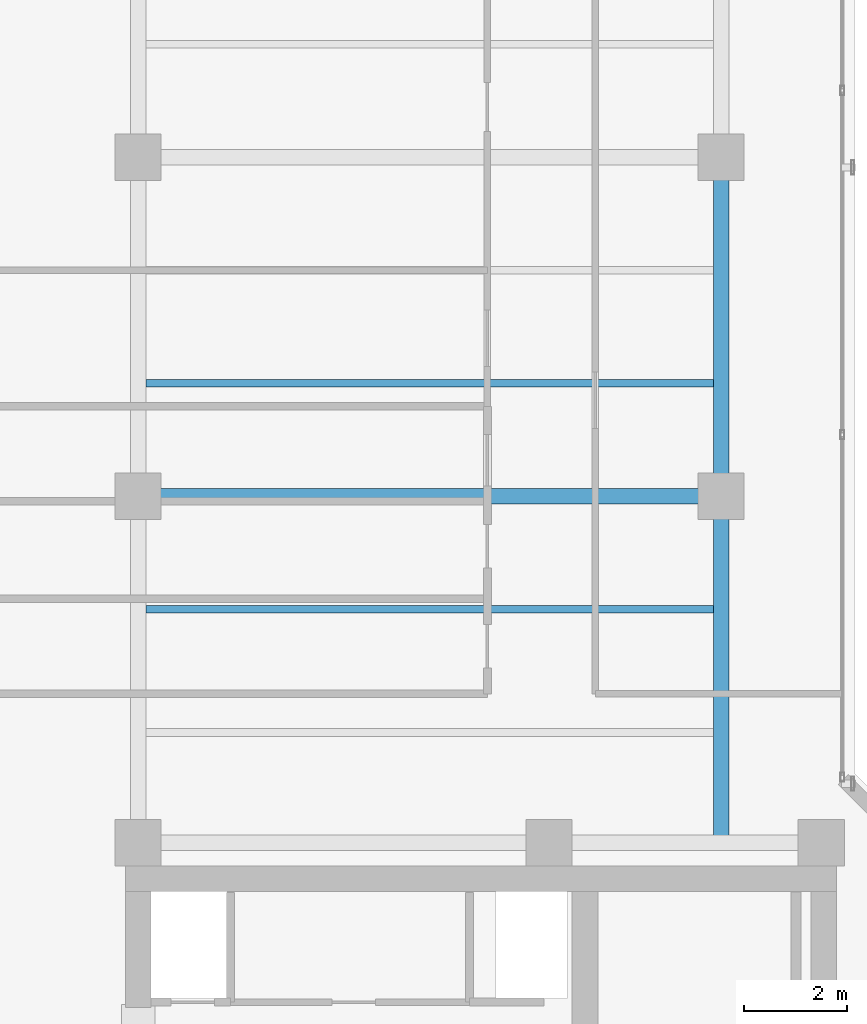
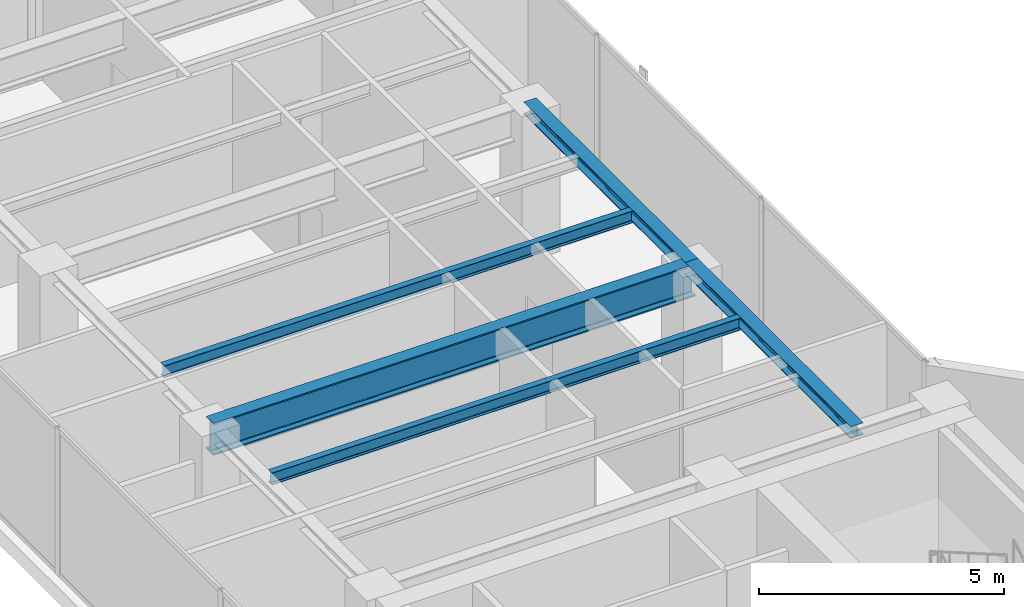
# One storey, part 12 of 31: 5 beams.
"""IFC4 building model written with IfcOpenShell, lengths in metres."""

from ifc_helpers import new_model, si_unit, direction, frame, origin, origin_2d, place, context, subcontext, project, spatial, i_section, extrude, material, material_profile, profile_set, type_object, element, save


model = new_model("IFC4")

# Units and contexts
model_context = context("Model", 3, precision=1e-05, world=origin(), true_north=direction((0.0, 1.0)))
body_context = subcontext(model_context, "Body", "Model", "MODEL_VIEW")
ifc_project = project(units=[si_unit("LENGTHUNIT", "METRE"), si_unit("AREAUNIT", "SQUARE_METRE"), si_unit("VOLUMEUNIT", "CUBIC_METRE"), si_unit("PLANEANGLEUNIT", "RADIAN"), si_unit("MASSUNIT", "GRAM", prefix="KILO")], contexts=[model_context])

# Site, building, storey
site_placement = place(None, origin())
site = spatial("IfcSite", under=ifc_project, at=site_placement, CompositionType="ELEMENT")
building_placement = place(site_placement, origin())
building = spatial("IfcBuilding", under=site, at=building_placement, Name="Kolvaren Waterfront Exchange", CompositionType="ELEMENT")
storey_placement = place(building_placement, frame((0.0, 0.0, 344.199951171875)))
storey = spatial("IfcBuildingStorey", under=building, at=storey_placement, Name="L88", CompositionType="ELEMENT", Elevation=344.199951171875)

# Beams
ifc_material = material(Name="Steel S355", Category="steel")
ifc_material_profile_1 = material_profile(ifc_material, i_section(OverallWidth=0.300048828125, OverallDepth=0.300048828125, WebThickness=0.010986328125, FlangeThickness=0.01904296875, FilletRadius=0.027099609375, at=origin_2d()), Name="HEB300")
ifc_profile_set_1 = profile_set([ifc_material_profile_1], Name="Steel S355")
beam_type_1 = type_object("IfcBeamType", Name="STR-BM-HEB300", PredefinedType="SPANDREL", material=ifc_profile_set_1)
beam_1_placement = place(storey_placement, frame((18.800048828125, 24.449951171875, 3.510009765625), z_axis=(0.0, 1.0, 0.0), x_axis=(-1.0, 0.0, 0.0)))
element("IfcBeam", 1, at=beam_1_placement, inside=storey, type_object=beam_type_1, Name="L88 north-arm edge beam 1", PredefinedType="SPANDREL", context=body_context, shape_type="SweptSolid", body=[
    extrude(i_section(OverallWidth=0.300048828125, OverallDepth=0.300048828125, WebThickness=0.010986328125, FlangeThickness=0.01904296875, FilletRadius=0.027099609375, at=origin_2d()), origin(), (0.0, 0.0, 1.0), 6.75),
])
beam_2_placement = place(storey_placement, frame((18.800048828125, 31.199951171875, 3.510009765625), z_axis=(0.0, 1.0, 0.0), x_axis=(-1.0, 0.0, 0.0)))
element("IfcBeam", 2, at=beam_2_placement, inside=storey, type_object=beam_type_1, Name="L88 north-arm edge beam 2", PredefinedType="SPANDREL", context=body_context, shape_type="SweptSolid", body=[
    extrude(i_section(OverallWidth=0.300048828125, OverallDepth=0.300048828125, WebThickness=0.010986328125, FlangeThickness=0.01904296875, FilletRadius=0.027099609375, at=origin_2d()), origin(), (0.0, 0.0, 1.0), 6.60009765625),
])
ifc_material_profile_2 = material_profile(ifc_material, i_section(OverallWidth=0.300048828125, OverallDepth=0.800048828125, WebThickness=0.017578125, FlangeThickness=0.032958984375, FilletRadius=0.030029296875, at=origin_2d()), Name="HEB800")
ifc_profile_set_2 = profile_set([ifc_material_profile_2], Name="Steel S355")
beam_type_2 = type_object("IfcBeamType", Name="STR-BM-HEB800", PredefinedType="BEAM", material=ifc_profile_set_2)
beam_3_placement = place(storey_placement, frame((7.449951171875, 31.199951171875, 3.260009765625), z_axis=(1.0, 0.0, 0.0), x_axis=(0.0, 1.0, 0.0)))
element("IfcBeam", 3, at=beam_3_placement, inside=storey, type_object=beam_type_2, Name="L88 north-arm girder 2", PredefinedType="BEAM", context=body_context, shape_type="SweptSolid", body=[
    extrude(i_section(OverallWidth=0.300048828125, OverallDepth=0.800048828125, WebThickness=0.017578125, FlangeThickness=0.032958984375, FilletRadius=0.030029296875, at=origin_2d()), origin(), (0.0, 0.0, 1.0), 11.35009765625),
])
ifc_material_profile_3 = material_profile(ifc_material, i_section(OverallWidth=0.14990234375, OverallDepth=0.300048828125, WebThickness=0.007080078125, FlangeThickness=0.0107421875, FilletRadius=0.014892578125, at=origin_2d()), Name="IPE300")
ifc_profile_set_3 = profile_set([ifc_material_profile_3], Name="Steel S355")
beam_type_3 = type_object("IfcBeamType", Name="STR-BM-IPE300", PredefinedType="JOIST", material=ifc_profile_set_3)
for number, where, z_axis, x_axis, name in (
    (4, (7.60205078125, 29.0, 3.510009765625), (1.0, 0.0, 0.0), (0.0, 1.0, 0.0), "L88 north-arm composite joist 2"),
    (5, (7.60205078125, 33.39990234375, 3.510009765625), (1.0, 0.0, 0.0), (0.0, 1.0, 0.0), "L88 north-arm composite joist 3"),
):
    element("IfcBeam", number, at=place(storey_placement, frame(where, z_axis=z_axis, x_axis=x_axis)), inside=storey, type_object=beam_type_3, Name=name, PredefinedType="JOIST", context=body_context, shape_type="SweptSolid", body=[
        extrude(i_section(OverallWidth=0.14990234375, OverallDepth=0.300048828125, WebThickness=0.007080078125, FlangeThickness=0.0107421875, FilletRadius=0.014892578125, at=origin_2d()), origin(), (0.0, 0.0, 1.0), 11.0458984375),
    ])

save(model, "model.ifc")
